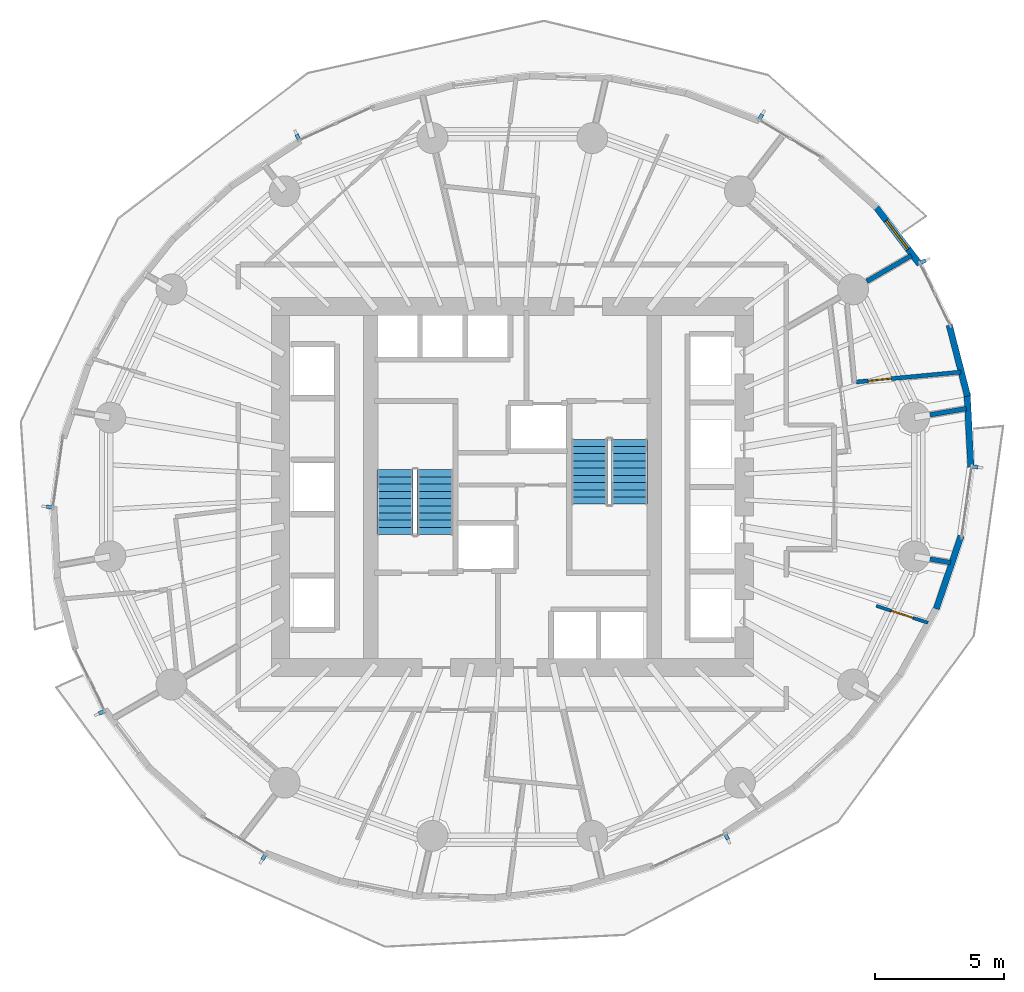
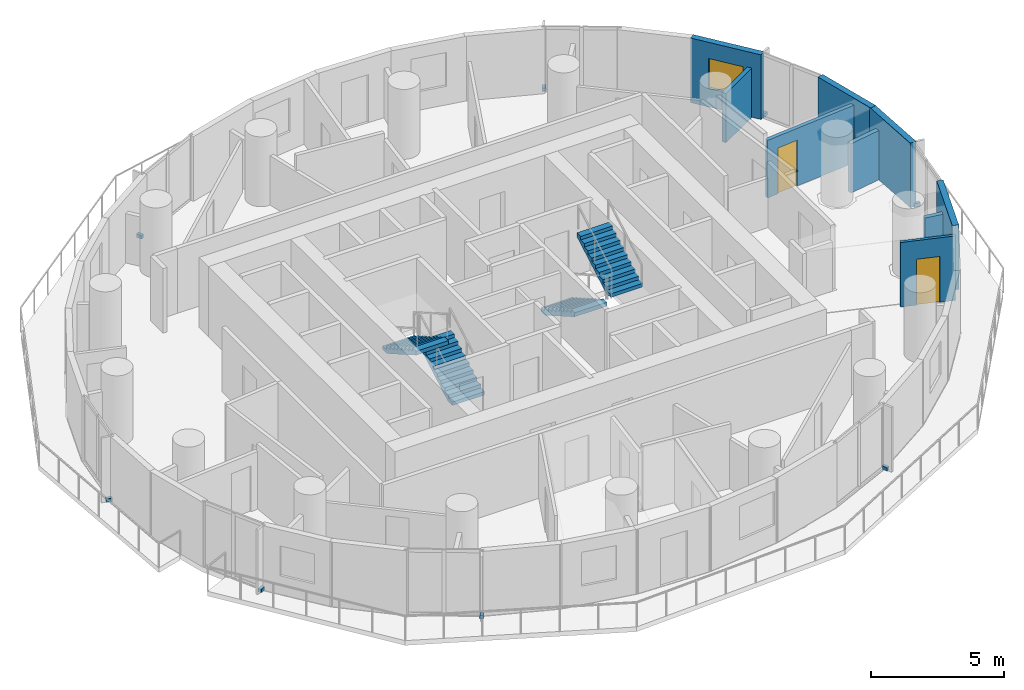
# One storey, part 10 of 14: 9 walls, 8 discrete accessories, 4 stair flights, 2 doors, 1 window, 3 openings, 2 elements without a shape of their own.
"""IFC4 building model written with IfcOpenShell, lengths in metres."""

from ifc_helpers import new_model, si_unit, direction, frame, frame_2d, origin, origin_2d, place, context, subcontext, project, spatial, polyline, rectangle, outline, extrude, material, layer, layer_set, type_object, element, fill, aggregate, save


model = new_model("IFC4")

# Units and contexts
model_context = context("Model", 3, precision=1e-05, world=origin(), true_north=direction((0.0, 1.0)))
body_context = subcontext(model_context, "Body", "Model", "MODEL_VIEW")
ifc_project = project(units=[si_unit("LENGTHUNIT", "METRE"), si_unit("AREAUNIT", "SQUARE_METRE"), si_unit("VOLUMEUNIT", "CUBIC_METRE"), si_unit("PLANEANGLEUNIT", "RADIAN"), si_unit("MASSUNIT", "GRAM", prefix="KILO")], contexts=[model_context])

# Site, building, storey
site_placement = place(None, origin())
site = spatial("IfcSite", under=ifc_project, at=site_placement, CompositionType="ELEMENT")
building_placement = place(site_placement, origin())
building = spatial("IfcBuilding", under=site, at=building_placement, Name="Veldorim Arch Residences", CompositionType="ELEMENT")
storey_placement = place(building_placement, frame((0.0, 0.0, 83.679931640625)))
storey = spatial("IfcBuildingStorey", under=building, at=storey_placement, Name="L24", CompositionType="ELEMENT", Elevation=83.679931640625)

# Wall, opening, door
ifc_material_1 = material(Name="Acoustic Gypsum Board", Category="gypsum")
ifc_layer_1 = layer(ifc_material_1, 0.125, Name="Acoustic Stud Room Partition Wall 125")
ifc_layer_set_1 = layer_set([ifc_layer_1], Name="Acoustic Gypsum Board")
wall_type_1 = type_object("IfcWallType", Name="Acoustic Stud Room Partition Wall 125", PredefinedType="PARTITIONING", material=ifc_layer_set_1)
wall_1_placement = place(storey_placement, frame((48.1298828125, 18.73046875, 0.0), z_axis=(0.0, 0.0, 1.0), x_axis=(-0.950573429935, 0.310499845896, 0.0)))
wall_1 = element("IfcWall", 1, at=wall_1_placement, inside=storey, type_object=wall_type_1, Name="L24 interior wall WL-RES-L24-023", PredefinedType="PARTITIONING", context=body_context, shape_type="SweptSolid", body=[
    extrude(rectangle(XDim=2.112060546875, YDim=0.125, at=frame_2d((1.05615234375, 0.0))), origin(), (0.0, 0.0, 1.0), 2.955078125),
])
opening_1_placement = place(wall_1_placement, frame((0.60595703125, 0.0, 0.0)))
opening_1 = element("IfcOpeningElement", 2, at=opening_1_placement, cuts=wall_1, Name="Opening DR-INT", PredefinedType="OPENING", context=body_context, shape_type="SweptSolid", body=[
    extrude(rectangle(XDim=0.89990234375, YDim=2.10009765625, at=frame_2d((0.449951171875, 1.050048828125))), frame((0.0, 0.072509765625, 0.0), z_axis=(0.0, -1.0, 0.0), x_axis=(1.0, 0.0, 0.0)), (0.0, 0.0, 1.0), 0.14501953125),
])
ifc_material_2 = material(Name="Engineered Timber", Category="wood")
door_type_1 = type_object("IfcDoorType", Name="Apartment Internal Room Timber Door 900x2100", OperationType="SINGLE_SWING_LEFT", PredefinedType="DOOR", material=ifc_material_2)
door_1_placement = place(opening_1_placement, origin())
door_1 = element("IfcDoor", 3, at=door_1_placement, inside=storey, type_object=door_type_1, Name="L24 interior door DR-RES-L24-008", OperationType="SINGLE_SWING_RIGHT", OverallHeight=2.10009765625, OverallWidth=0.89990234375, PredefinedType="DOOR", context=body_context, shape_type="SweptSolid", body=[
    extrude(rectangle(XDim=0.89990234375, YDim=2.10009765625, at=frame_2d((0.449951171875, 1.050048828125))), frame((0.0, 0.02490234375, 0.0), z_axis=(0.0, -1.0, 0.0), x_axis=(1.0, 0.0, 0.0)), (0.0, 0.0, 1.0), 0.050048828125),
])
fill(opening_1, door_1)

# Walls
ifc_material_3 = material(Name="Lightweight Masonry Block & Gypsum", Category="masonry")
ifc_layer_2 = layer(ifc_material_3, 0.179931640625, Name="Compartment & Corridor Fire-Rated Party Wall 180")
ifc_layer_set_2 = layer_set([ifc_layer_2], Name="Lightweight Masonry Block & Gypsum")
wall_type_2 = type_object("IfcWallType", Name="Compartment & Corridor Fire-Rated Party Wall 180", PredefinedType="PARTITIONING", material=ifc_layer_set_2)
wall_2_placement = place(storey_placement, frame((48.20556640625, 26.797607421875, 0.0), z_axis=(0.0, 0.0, 1.0), x_axis=(0.985402123708, 0.170242928172, 0.0)))
element("IfcWall", 4, at=wall_2_placement, inside=storey, type_object=wall_type_2, Name="L24 interior wall WL-PIER-L24-01", PredefinedType="PARTITIONING", context=body_context, shape_type="SweptSolid", body=[
    extrude(rectangle(XDim=1.435546875, YDim=0.179931640625, at=frame_2d((0.7177734375, 0.0))), origin(), (0.0, 0.0, 1.0), 2.2607421875),
])
wall_3_placement = place(storey_placement, frame((45.756591796875, 31.977783203125, 0.0), z_axis=(0.0, 0.0, 1.0), x_axis=(0.865046065875, 0.501692439563, 0.0)))
element("IfcWall", 5, at=wall_3_placement, inside=storey, type_object=wall_type_2, Name="L24 interior wall WL-PIER-L24-02", PredefinedType="PARTITIONING", context=body_context, shape_type="SweptSolid", body=[
    extrude(rectangle(XDim=1.994140625, YDim=0.179931640625, at=frame_2d((0.9970703125, 0.0))), origin(), (0.0, 0.0, 1.0), 2.2607421875),
])
wall_4_placement = place(storey_placement, frame((48.20556640625, 21.202392578125, 0.0), z_axis=(0.0, 0.0, 1.0), x_axis=(0.985418430365, -0.170148514822, 0.0)))
element("IfcWall", 6, at=wall_4_placement, inside=storey, type_object=wall_type_2, Name="L24 interior wall WL-PIER-L24-16", PredefinedType="PARTITIONING", context=body_context, shape_type="SweptSolid", body=[
    extrude(rectangle(XDim=0.812255859375, YDim=0.179931640625, at=frame_2d((0.40625, 0.0))), origin(), (0.0, 0.0, 1.0), 2.2607421875),
])

# Wall, opening, window
ifc_material_4 = material(Name="Precast concrete C40/50", Category="concrete")
ifc_layer_3 = layer(ifc_material_4, 0.25, Name="Tower Terracotta Spandrel & Pier Wall 250")
ifc_layer_set_3 = layer_set([ifc_layer_3], Name="Precast concrete C40/50")
wall_type_3 = type_object("IfcWallType", Name="Tower Terracotta Spandrel & Pier Wall 250", PredefinedType="SOLIDWALL", material=ifc_layer_set_3)
wall_5_placement = place(storey_placement, frame((46.0654296875, 34.927001953125, 0.0), z_axis=(0.0, 0.0, 1.0), x_axis=(0.606166055027, -0.795338112838, 0.0)))
wall_5 = element("IfcWall", 7, at=wall_5_placement, inside=storey, type_object=wall_type_3, Name="L24 terracotta facade wall 02", PredefinedType="SOLIDWALL", context=body_context, shape_type="SweptSolid", body=[
    extrude(rectangle(XDim=2.8740234375, YDim=0.25, at=frame_2d((1.43701171875, 0.0))), origin(), (0.0, 0.0, 1.0), 2.9599609375),
])
opening_2_placement = place(wall_5_placement, frame((0.737060546875, 0.0, 0.85009765625)))
opening_2 = element("IfcOpeningElement", 8, at=opening_2_placement, cuts=wall_5, Name="Opening WN-02", PredefinedType="OPENING", context=body_context, shape_type="SweptSolid", body=[
    extrude(rectangle(XDim=1.39990234375, YDim=1.3701171875, at=frame_2d((0.699951171875, 0.68505859375))), frame((0.0, 0.135009765625, 0.0), z_axis=(0.0, -1.0, 0.0), x_axis=(1.0, 0.0, 0.0)), (0.0, 0.0, 1.0), 0.27001953125),
])
ifc_material_5 = material(Name="Laminated Low-E Glass", Category="glass")
window_type = type_object("IfcWindowType", Name="Residential Casement Window 1400x1550", PartitioningType="SINGLE_PANEL", PredefinedType="WINDOW", material=ifc_material_5)
window_placement = place(opening_2_placement, origin())
window = element("IfcWindow", 9, at=window_placement, inside=storey, type_object=window_type, Name="L24 solar-control facade window 02", OverallHeight=1.3701171875, OverallWidth=1.39990234375, PartitioningType="SINGLE_PANEL", PredefinedType="WINDOW", context=body_context, shape_type="SweptSolid", body=[
    extrude(rectangle(XDim=1.39990234375, YDim=1.3701171875, at=frame_2d((0.699951171875, 0.68505859375))), frame((0.0, 0.030029296875, 0.0), z_axis=(0.0, -1.0, 0.0), x_axis=(1.0, 0.0, 0.0)), (0.0, 0.0, 1.0), 0.06005859375),
])
fill(opening_2, window)

# Walls
wall_6_placement = place(storey_placement, frame((49.414794921875, 22.098876953125, 0.0), z_axis=(0.0, 0.0, 1.0), x_axis=(-0.321149814784, -0.947028403198, 0.0)))
element("IfcWall", 10, at=wall_6_placement, inside=storey, type_object=wall_type_3, Name="L24 terracotta facade wall 33", PredefinedType="SOLIDWALL", context=body_context, shape_type="SweptSolid", body=[
    extrude(rectangle(XDim=2.98828125, YDim=0.25, at=frame_2d((1.494140625, 0.0))), origin(), (0.0, 0.0, 1.0), 2.9599609375),
])
wall_7_placement = place(storey_placement, frame((49.643798828125, 27.64013671875, 0.0), z_axis=(0.0, 0.0, 1.0), x_axis=(0.052411702269, -0.998625562193, 0.0)))
element("IfcWall", 11, at=wall_7_placement, inside=storey, type_object=wall_type_3, Name="L24 terracotta facade wall 35", PredefinedType="SOLIDWALL", context=body_context, shape_type="SweptSolid", body=[
    extrude(rectangle(XDim=2.8740234375, YDim=0.25, at=frame_2d((1.43701171875, 0.0))), origin(), (0.0, 0.0, 1.0), 2.9599609375),
])
wall_8_placement = place(storey_placement, frame((48.95263671875, 30.284912109375, 0.0), z_axis=(0.0, 0.0, 1.0), x_axis=(0.248825035787, -0.96854845081, 0.0)))
element("IfcWall", 12, at=wall_8_placement, inside=storey, type_object=wall_type_3, Name="L24 terracotta facade wall 36", PredefinedType="SOLIDWALL", context=body_context, shape_type="SweptSolid", body=[
    extrude(rectangle(XDim=2.847412109375, YDim=0.25, at=frame_2d((1.423828125, 0.0))), origin(), (0.0, 0.0, 1.0), 2.9599609375),
])

# Wall, opening, door
ifc_material_6 = material(Name="Moisture-Resistant Gypsum & Stud", Category="gypsum")
ifc_layer_4 = layer(ifc_material_6, 0.159912109375, Name="Wet-Area Moisture-Resistant Plumbing Wall 160")
ifc_layer_set_4 = layer_set([ifc_layer_4], Name="Moisture-Resistant Gypsum & Stud")
wall_type_4 = type_object("IfcWallType", Name="Wet-Area Moisture-Resistant Plumbing Wall 160", PredefinedType="PLUMBINGWALL", material=ifc_layer_set_4)
wall_9_placement = place(storey_placement, frame((45.34716796875, 28.07421875, 0.0), z_axis=(0.0, 0.0, 1.0), x_axis=(0.995525564748, 0.09449259195, 0.0)))
wall_9 = element("IfcWall", 13, at=wall_9_placement, inside=storey, type_object=wall_type_4, Name="L24 interior wall WL-RES-L24-022", PredefinedType="PLUMBINGWALL", context=body_context, shape_type="SweptSolid", body=[
    extrude(rectangle(XDim=4.0771484375, YDim=0.159912109375, at=frame_2d((2.03857421875, 0.0))), origin(), (0.0, 0.0, 1.0), 2.641357421875),
])
opening_3_placement = place(wall_9_placement, frame((0.468505859375, 0.0, 0.0)))
opening_3 = element("IfcOpeningElement", 14, at=opening_3_placement, cuts=wall_9, Name="Opening DR-WC", PredefinedType="OPENING", context=body_context, shape_type="SweptSolid", body=[
    extrude(rectangle(XDim=0.89990234375, YDim=2.10009765625, at=frame_2d((0.449951171875, 1.050048828125))), frame((0.0, 0.08984375, 0.0), z_axis=(0.0, -1.0, 0.0), x_axis=(1.0, 0.0, 0.0)), (0.0, 0.0, 1.0), 0.179931640625),
])
ifc_material_7 = material(Name="Laminate Timber", Category="wood")
door_type_2 = type_object("IfcDoorType", Name="Bathroom & Accessible WC Moisture-Sealed Door 900x2100", OperationType="SINGLE_SWING_LEFT", PredefinedType="DOOR", material=ifc_material_7)
door_2_placement = place(opening_3_placement, origin())
door_2 = element("IfcDoor", 15, at=door_2_placement, inside=storey, type_object=door_type_2, Name="L24 interior door DR-RES-L24-007", OperationType="SINGLE_SWING_LEFT", OverallHeight=2.10009765625, OverallWidth=0.89990234375, PredefinedType="DOOR", context=body_context, shape_type="SweptSolid", body=[
    extrude(rectangle(XDim=0.89990234375, YDim=2.10009765625, at=frame_2d((0.449951171875, 1.050048828125))), frame((0.0, 0.02490234375, 0.0), z_axis=(0.0, -1.0, 0.0), x_axis=(1.0, 0.0, 0.0)), (0.0, 0.0, 1.0), 0.050048828125),
])
fill(opening_3, door_2)

# Stair, stair flights
ifc_material_8 = material(Name="Concrete C40/50", Category="concrete")
stair_type = type_object("IfcStairType", Name="Reinforced Concrete Dogleg Exit Staircase", PredefinedType="HALF_TURN_STAIR", material=ifc_material_8)
stair_1_placement = place(storey_placement, origin())
stair_1 = element("IfcStair", 16, at=stair_1_placement, inside=storey, type_object=stair_type, Name="L24 Exit Staircase ST-1", PredefinedType="HALF_TURN_STAIR")
ifc_material_9 = material(Name="Concrete C40/50", Category="concrete")
stair_flight_type = type_object("IfcStairFlightType", Name="Reinforced Concrete Stair Flight 1400", PredefinedType="STRAIGHT", material=ifc_material_9)
stair_flight_1_placement = place(storey_placement, frame((29.010009765625, 22.14990234375, 0.0), z_axis=(0.0, 0.0, 1.0), x_axis=(0.0, 1.0, 0.0)))
stair_flight_1 = element("IfcStairFlight", 17, at=stair_flight_1_placement, type_object=stair_flight_type, Name="ST-1 flight 1", NumberOfRisers=10, NumberOfTreads=9, PredefinedType="STRAIGHT", RiserHeight=0.16, TreadLength=0.28, context=body_context, shape_type="SweptSolid", body=[
    extrude(outline(polyline([(0.0, 0.0), (0.0, 0.159912109375), (0.280029296875, 0.159912109375), (0.280029296875, 0.320068359375), (0.56005859375, 0.320068359375), (0.56005859375, 0.47998046875), (0.840087890625, 0.47998046875), (0.840087890625, 0.639892578125), (1.1201171875, 0.639892578125), (1.1201171875, 0.800048828125), (1.39990234375, 0.800048828125), (1.39990234375, 0.9599609375), (1.679931640625, 0.9599609375), (1.679931640625, 1.1201171875), (1.9599609375, 1.1201171875), (1.9599609375, 1.280029296875), (2.239990234375, 1.280029296875), (2.239990234375, 1.43994140625), (2.52001953125, 1.43994140625), (2.52001953125, 1.60009765625), (2.52001953125, 1.255859375), (0.322265625, 0.0), (0.0, 0.0)])), frame((0.0, 0.699951171875, 0.0), z_axis=(0.0, -1.0, 0.0), x_axis=(1.0, 0.0, 0.0)), (0.0, 0.0, 1.0), 1.39990234375),
])
stair_flight_2_placement = place(storey_placement, frame((27.449951171875, 24.669921875, 1.60009765625), z_axis=(0.0, 0.0, 1.0), x_axis=(0.0, -1.0, 0.0)))
stair_flight_2 = element("IfcStairFlight", 18, at=stair_flight_2_placement, type_object=stair_flight_type, Name="ST-1 flight 2", NumberOfRisers=10, NumberOfTreads=9, PredefinedType="STRAIGHT", RiserHeight=0.16, TreadLength=0.28, context=body_context, shape_type="SweptSolid", body=[
    extrude(outline(polyline([(0.0, 0.0), (0.0, 0.159912109375), (0.280029296875, 0.159912109375), (0.280029296875, 0.320068359375), (0.56005859375, 0.320068359375), (0.56005859375, 0.47998046875), (0.840087890625, 0.47998046875), (0.840087890625, 0.639892578125), (1.1201171875, 0.639892578125), (1.1201171875, 0.800048828125), (1.39990234375, 0.800048828125), (1.39990234375, 0.9599609375), (1.679931640625, 0.9599609375), (1.679931640625, 1.1201171875), (1.9599609375, 1.1201171875), (1.9599609375, 1.280029296875), (2.239990234375, 1.280029296875), (2.239990234375, 1.43994140625), (2.52001953125, 1.43994140625), (2.52001953125, 1.60009765625), (2.52001953125, 1.255859375), (0.322265625, 0.0), (0.0, 0.0)])), frame((0.0, 0.699951171875, 0.0), z_axis=(0.0, -1.0, 0.0), x_axis=(1.0, 0.0, 0.0)), (0.0, 0.0, 1.0), 1.39990234375),
])
aggregate(stair_1, [stair_flight_1, stair_flight_2])

stair_2_placement = place(storey_placement, origin())
stair_2 = element("IfcStair", 19, at=stair_2_placement, inside=storey, type_object=stair_type, Name="L24 Exit Staircase ST-2", PredefinedType="HALF_TURN_STAIR")
stair_flight_3_placement = place(storey_placement, frame((34.989990234375, 25.85009765625, 0.0), z_axis=(0.0, 0.0, 1.0), x_axis=(0.0, -1.0, 0.0)))
stair_flight_3 = element("IfcStairFlight", 20, at=stair_flight_3_placement, type_object=stair_flight_type, Name="ST-2 flight 1", NumberOfRisers=10, NumberOfTreads=9, PredefinedType="STRAIGHT", RiserHeight=0.16, TreadLength=0.28, context=body_context, shape_type="SweptSolid", body=[
    extrude(outline(polyline([(0.0, 0.0), (0.0, 0.159912109375), (0.280029296875, 0.159912109375), (0.280029296875, 0.320068359375), (0.56005859375, 0.320068359375), (0.56005859375, 0.47998046875), (0.840087890625, 0.47998046875), (0.840087890625, 0.639892578125), (1.1201171875, 0.639892578125), (1.1201171875, 0.800048828125), (1.39990234375, 0.800048828125), (1.39990234375, 0.9599609375), (1.679931640625, 0.9599609375), (1.679931640625, 1.1201171875), (1.9599609375, 1.1201171875), (1.9599609375, 1.280029296875), (2.239990234375, 1.280029296875), (2.239990234375, 1.43994140625), (2.52001953125, 1.43994140625), (2.52001953125, 1.60009765625), (2.52001953125, 1.255859375), (0.322265625, 0.0), (0.0, 0.0)])), frame((0.0, 0.699951171875, 0.0), z_axis=(0.0, -1.0, 0.0), x_axis=(1.0, 0.0, 0.0)), (0.0, 0.0, 1.0), 1.39990234375),
])
stair_flight_4_placement = place(storey_placement, frame((36.550048828125, 23.330078125, 1.60009765625), z_axis=(0.0, 0.0, 1.0), x_axis=(0.0, 1.0, 0.0)))
stair_flight_4 = element("IfcStairFlight", 21, at=stair_flight_4_placement, type_object=stair_flight_type, Name="ST-2 flight 2", NumberOfRisers=10, NumberOfTreads=9, PredefinedType="STRAIGHT", RiserHeight=0.16, TreadLength=0.28, context=body_context, shape_type="SweptSolid", body=[
    extrude(outline(polyline([(0.0, 0.0), (0.0, 0.159912109375), (0.280029296875, 0.159912109375), (0.280029296875, 0.320068359375), (0.56005859375, 0.320068359375), (0.56005859375, 0.47998046875), (0.840087890625, 0.47998046875), (0.840087890625, 0.639892578125), (1.1201171875, 0.639892578125), (1.1201171875, 0.800048828125), (1.39990234375, 0.800048828125), (1.39990234375, 0.9599609375), (1.679931640625, 0.9599609375), (1.679931640625, 1.1201171875), (1.9599609375, 1.1201171875), (1.9599609375, 1.280029296875), (2.239990234375, 1.280029296875), (2.239990234375, 1.43994140625), (2.52001953125, 1.43994140625), (2.52001953125, 1.60009765625), (2.52001953125, 1.255859375), (0.322265625, 0.0), (0.0, 0.0)])), frame((0.0, 0.699951171875, 0.0), z_axis=(0.0, -1.0, 0.0), x_axis=(1.0, 0.0, 0.0)), (0.0, 0.0, 1.0), 1.39990234375),
])
aggregate(stair_2, [stair_flight_3, stair_flight_4])

# Discrete accessories
ifc_material_10 = material(Name="Stainless Steel", Category="steel")
discrete_accessory_type = type_object("IfcDiscreteAccessoryType", Name="Stainless Steel Facade Fin Anchor Bracket", PredefinedType="BRACKET", material=ifc_material_10)
for number, where, z_axis, x_axis, name in (
    (22, (47.932373046875, 32.7421875, -0.02001953125), (0.0, 0.0, 1.0), (0.437115766651, -0.899405251566, 0.0), "L24 stainless fin anchor bracket 01"),
    (23, (41.63720703125, 38.3583984375, -0.02001953125), (0.0, 0.0, 1.0), (0.857616429769, -0.514289859311, 0.0), "L24 stainless fin anchor bracket 04"),
    (24, (23.6826171875, 37.569580078125, -0.02001953125), (0.0, 0.0, 1.0), (0.909961270877, 0.414693242656, 0.0), "L24 stainless fin anchor bracket 10"),
    (25, (14.04541015625, 23.216796875, -0.02001953125), (0.0, 0.0, 1.0), (0.14055563991, 0.990072781208, 0.0), "L24 stainless fin anchor bracket 16"),
    (26, (16.067626953125, 15.2578125, -0.02001953125), (0.0, 0.0, 1.0), (-0.437115766651, 0.899405251566, 0.0), "L24 stainless fin anchor bracket 19"),
    (27, (22.36279296875, 9.6416015625, -0.02001953125), (0.0, 0.0, 1.0), (-0.857616429769, 0.514289859311, 0.0), "L24 stainless fin anchor bracket 22"),
    (28, (40.3173828125, 10.430419921875, -0.02001953125), (0.0, 0.0, 1.0), (-0.909961270877, -0.414693242656, 0.0), "L24 stainless fin anchor bracket 28"),
    (29, (49.95458984375, 24.783203125, -0.02001953125), (0.0, 0.0, 1.0), (-0.14055563991, -0.990072781208, 0.0), "L24 stainless fin anchor bracket 34"),
):
    element("IfcDiscreteAccessory", number, at=place(storey_placement, frame(where, z_axis=z_axis, x_axis=x_axis)), inside=storey, type_object=discrete_accessory_type, Name=name, PredefinedType="BRACKET", context=body_context, shape_type="SweptSolid", body=[
        extrude(rectangle(XDim=0.139892578125, YDim=0.239990234375, at=origin_2d()), origin(), (0.0, 0.0, 1.0), 0.159912109375),
    ])

save(model, "model.ifc")
